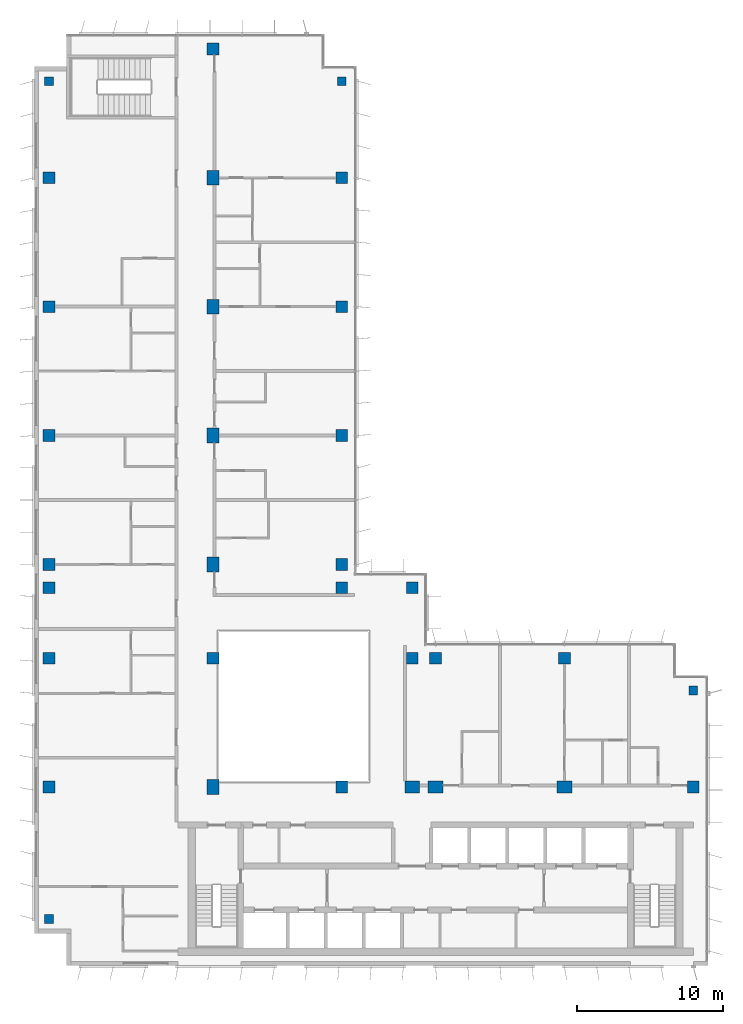
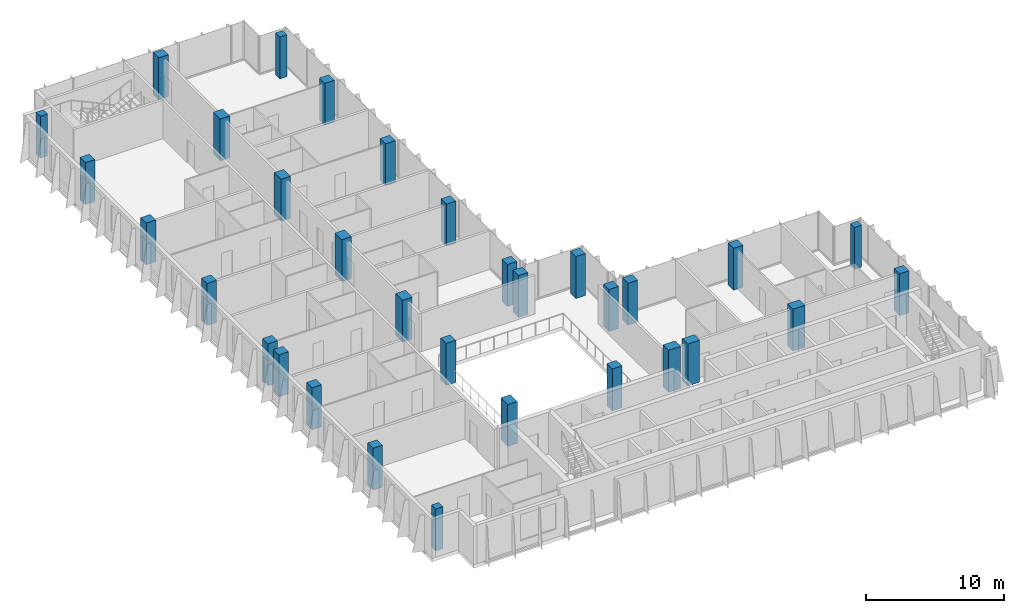
# One storey, part 1 of 16: 32 columns.
"""IFC4 building model written with IfcOpenShell, lengths in metres."""

import ifcopenshell
import ifcopenshell.guid

model = None  # the IFC model being written
_history = None  # IfcOwnerHistory: only IFC2X3 demands one
_inside = {}  # id of a spatial element -> (the spatial element, [elements in it])
_under = {}  # id of a project, library or spatial element -> (it, [spatial elements below it])
_declared = {}  # id of a project -> (the project, [libraries it declares])
_typed = {}  # id of a type object -> (the type object, [elements of that type])
_made_of = {}  # id of a material, layer set ... -> (it, [elements and type objects made of it])


def new_model(schema):
    """Start an empty IFC model of exactly this schema.

    Asked for "IFC4X3", IfcOpenShell would pick the latest addendum, in which some entities
    have other attributes; the version numbers below select the first issue.
    IFC2X3 requires an IfcOwnerHistory on every rooted entity: one is made here for all.
    """
    global model, _history
    if schema == "IFC4X3":
        model = ifcopenshell.file(schema_version=(4, 3, 0, 0))
    else:
        model = ifcopenshell.file(schema=schema)
    _inside.clear()
    _under.clear()
    _declared.clear()
    _typed.clear()
    _made_of.clear()
    _history = None
    if model.schema == "IFC2X3":
        org = make("IfcOrganization", Name="unknown")
        user = make(
            "IfcPersonAndOrganization",
            ThePerson=make("IfcPerson", FamilyName="unknown"),
            TheOrganization=org,
        )
        app = make(
            "IfcApplication",
            ApplicationDeveloper=org,
            Version="unknown",
            ApplicationFullName="unknown",
            ApplicationIdentifier="unknown",
        )
        _history = make(
            "IfcOwnerHistory",
            OwningUser=user,
            OwningApplication=app,
            ChangeAction="ADDED",
            CreationDate=0,
        )
    return model


def make(cls, **values):
    """One entity of the class cls with the attributes given. An attribute that is None is left unset."""
    return model.create_entity(
        cls, **{name: value for name, value in values.items() if value is not None}
    )


def rooted(cls, **values):
    """An entity with a GlobalId (a new one), such as an element, a storey or a relation."""
    return make(cls, GlobalId=ifcopenshell.guid.new(), OwnerHistory=_history, **values)


def si_unit(unit_type, name, prefix=None):
    """IfcSIUnit, for example si_unit("LENGTHUNIT", "METRE", prefix="MILLI")."""
    return make("IfcSIUnit", UnitType=unit_type, Prefix=prefix, Name=name)


def assignment(units):
    """IfcUnitAssignment: the units of a project."""
    return None if units is None else make("IfcUnitAssignment", Units=units)


def point(xyz):
    """IfcCartesianPoint."""
    return None if xyz is None else make("IfcCartesianPoint", Coordinates=xyz)


def direction(xyz):
    """IfcDirection."""
    return None if xyz is None else make("IfcDirection", DirectionRatios=xyz)


def frame(location, z_axis=None, x_axis=None):
    """IfcAxis2Placement3D, a coordinate frame: its origin and axes. An axis left out is left unset."""
    return make(
        "IfcAxis2Placement3D",
        Location=point(location),
        Axis=direction(z_axis),
        RefDirection=direction(x_axis),
    )


def frame_2d(location, x_axis=None):
    """IfcAxis2Placement2D, a coordinate frame in the plane: its origin and x axis."""
    return make(
        "IfcAxis2Placement2D", Location=point(location), RefDirection=direction(x_axis)
    )


def origin():
    """The frame at (0, 0, 0) with its axes left unset."""
    return frame((0.0, 0.0, 0.0))


def origin_2d():
    """The frame at (0, 0) in the plane with its x axis left unset."""
    return frame_2d((0.0, 0.0))


def place(relative_to, where):
    """IfcLocalPlacement: puts the frame where relative to a parent placement (None: the world)."""
    return make(
        "IfcLocalPlacement", PlacementRelTo=relative_to, RelativePlacement=where
    )


def context(
    kind, dimensions, precision=None, world=None, true_north=None, identifier=None
):
    """IfcGeometricRepresentationContext, for example the 3D "Model" context."""
    return make(
        "IfcGeometricRepresentationContext",
        ContextIdentifier=identifier,
        ContextType=kind,
        CoordinateSpaceDimension=dimensions,
        Precision=precision,
        WorldCoordinateSystem=world,
        TrueNorth=true_north,
    )


def subcontext(parent, identifier, kind, view, scale=None):
    """IfcGeometricRepresentationSubContext, for example "Body" below "Model"."""
    return make(
        "IfcGeometricRepresentationSubContext",
        ContextIdentifier=identifier,
        ContextType=kind,
        ParentContext=parent,
        TargetScale=scale,
        TargetView=view,
    )


def project(units=None, contexts=None):
    """IfcProject with its units and contexts."""
    return rooted(
        "IfcProject",
        Name="project",
        RepresentationContexts=contexts,
        UnitsInContext=assignment(units),
    )


def spatial(cls, under=None, at=None, **own):
    """A site, building, storey or space (cls), placed at a placement, below another one or the project."""
    s = rooted(cls, ObjectPlacement=at, **own)
    if under is not None:
        _under.setdefault(under.id(), (under, []))[1].append(s)
    return s


def profile(cls, at=None, kind="AREA", **sizes):
    """A parametric profile (cls). Its sizes go by their IFC names, for example OverallWidth=200.0."""
    return make(cls, ProfileType=kind, Position=at, **sizes)


def rectangle(**sizes):
    """IfcRectangleProfileDef."""
    return profile("IfcRectangleProfileDef", **sizes)


def extrude(swept, where, along, depth):
    """IfcExtrudedAreaSolid: the profile swept, set in the frame where, extruded along a direction by depth."""
    return make(
        "IfcExtrudedAreaSolid",
        SweptArea=swept,
        Position=where,
        ExtrudedDirection=direction(along),
        Depth=depth,
    )


def shape(context_of_items, identifier, shape_type, items):
    """IfcShapeRepresentation: the items that make up one representation, for example the "Body"."""
    return make(
        "IfcShapeRepresentation",
        ContextOfItems=context_of_items,
        RepresentationIdentifier=identifier,
        RepresentationType=shape_type,
        Items=items,
    )


def material(Name=None, Category=None):
    """IfcMaterial."""
    return make("IfcMaterial", Name=Name, Category=Category)


def material_profile(
    of_material, cross_section, Name=None, Category=None, Priority=None
):
    """IfcMaterialProfile: a cross section and its material."""
    return make(
        "IfcMaterialProfile",
        Name=Name,
        Material=of_material,
        Profile=cross_section,
        Priority=Priority,
        Category=Category,
    )


def profile_set(profiles, Name=None, composite=None):
    """IfcMaterialProfileSet."""
    return make(
        "IfcMaterialProfileSet",
        Name=Name,
        MaterialProfiles=profiles,
        CompositeProfile=composite,
    )


def made_of(thing, what):
    """Note that an element or type object is made of a material, layer set ...; save() writes the relation."""
    if what is not None:
        _made_of.setdefault(what.id(), (what, []))[1].append(thing)
    return thing


def type_object(cls, material=None, **own):
    """A type object (cls), such as IfcWallType, which elements share."""
    return made_of(rooted(cls, **own), material)


def element(
    cls,
    number,
    at=None,
    inside=None,
    cuts=None,
    type_object=None,
    material=None,
    context=None,
    identifier="Body",
    shape_type=None,
    held_by="IfcProductDefinitionShape",
    body=None,
    shapes=None,
    **own,
):
    """One element of the class cls, such as IfcWall. Its Tag is "e" and its number.

    at: its placement. inside: the storey or other place that contains it. cuts: it is an
    opening in that element (IfcRelVoidsElement). A single representation is given by context,
    identifier, shape_type and body (its items); several are given by shapes. held_by: the class
    of the entity that holds the representations. save() writes the other relations.
    """
    e = rooted(cls, Tag="e%d" % number, ObjectPlacement=at, **own)
    if body is not None:
        shapes = [shape(context, identifier, shape_type, body)]
    if shapes is not None:
        e.Representation = make(held_by, Representations=shapes)
    if inside is not None:
        _inside.setdefault(inside.id(), (inside, []))[1].append(e)
    if cuts is not None:
        rooted(
            "IfcRelVoidsElement", RelatingBuildingElement=cuts, RelatedOpeningElement=e
        )
    if type_object is not None:
        _typed.setdefault(type_object.id(), (type_object, []))[1].append(e)
    return made_of(e, material)


def aggregate(whole, parts):
    """IfcRelAggregates: a whole, such as a stair, and the parts it consists of."""
    return rooted("IfcRelAggregates", RelatingObject=whole, RelatedObjects=parts)


def save(model, path):
    """Write the relations noted so far, then the file.

    IfcRelAggregates (storeys below a building ...), IfcRelContainedInSpatialStructure (elements
    in a storey), IfcRelDefinesByType, IfcRelAssociatesMaterial and IfcRelDeclares: one each for
    every whole, place, type object, material and project.
    """
    for whole, parts in _under.values():
        aggregate(whole, parts)
    for where, things in _inside.values():
        rooted(
            "IfcRelContainedInSpatialStructure",
            RelatedElements=things,
            RelatingStructure=where,
        )
    for kind, things in _typed.values():
        rooted("IfcRelDefinesByType", RelatedObjects=things, RelatingType=kind)
    for what, things in _made_of.values():
        rooted("IfcRelAssociatesMaterial", RelatedObjects=things, RelatingMaterial=what)
    for by, libraries in _declared.values():
        rooted("IfcRelDeclares", RelatingContext=by, RelatedDefinitions=libraries)
    model.write(path)


model = new_model("IFC4")

# Units and contexts
model_context = context("Model", 3, precision=1e-05, world=origin(), true_north=direction((0.0, 1.0)))
body_context = subcontext(model_context, "Body", "Model", "MODEL_VIEW")
ifc_project = project(units=[si_unit("LENGTHUNIT", "METRE"), si_unit("AREAUNIT", "SQUARE_METRE"), si_unit("VOLUMEUNIT", "CUBIC_METRE"), si_unit("PLANEANGLEUNIT", "RADIAN"), si_unit("MASSUNIT", "GRAM", prefix="KILO")], contexts=[model_context])

# Site, building, storey
site_placement = place(None, origin())
site = spatial("IfcSite", under=ifc_project, at=site_placement, CompositionType="ELEMENT")
building_placement = place(site_placement, origin())
building = spatial("IfcBuilding", under=site, at=building_placement, Name="Kemantara Hotel Tower", CompositionType="ELEMENT")
storey_placement = place(building_placement, frame((0.0, 0.0, 287.0)))
storey = spatial("IfcBuildingStorey", under=building, at=storey_placement, Name="L72", CompositionType="ELEMENT", Elevation=287.0)

# Columns
ifc_material = material(Name="Concrete fc 50 MPa", Category="concrete")
ifc_material_profile_1 = material_profile(ifc_material, rectangle(XDim=1.0, YDim=0.800048828125, at=origin_2d()), Name="RC 1000X800")
ifc_profile_set_1 = profile_set([ifc_material_profile_1], Name="Concrete fc 50 MPa")
column_type_1 = type_object("IfcColumnType", Name="RC COLUMN 1000X800 FC50", PredefinedType="COLUMN", material=ifc_profile_set_1)
for number, where, z_axis, x_axis, name in (
    (1, (12.199951171875, 12.199951171875, 0.0), (0.0, 0.0, 1.0), (0.0, 1.0, 0.0), "COLUMN 2A/BA L72"),
    (2, (12.199951171875, 27.39990234375, 0.0), (0.0, 0.0, 1.0), (0.0, 1.0, 0.0), "COLUMN 2A/D L72"),
    (3, (12.199951171875, 36.199951171875, 0.0), (0.0, 0.0, 1.0), (0.0, 1.0, 0.0), "COLUMN 2A/E L72"),
    (4, (12.199951171875, 45.0, 0.0), (0.0, 0.0, 1.0), (0.0, 1.0, 0.0), "COLUMN 2A/F L72"),
    (5, (12.199951171875, 53.800048828125, 0.0), (0.0, 0.0, 1.0), (0.0, 1.0, 0.0), "COLUMN 2A/G L72"),
    (6, (25.800048828125, 12.199951171875, 0.0), (0.0, 0.0, 1.0), (1.0, 0.0, 0.0), "COLUMN 3A/BA L72"),
    (7, (27.39990234375, 12.199951171875, 0.0), (0.0, 0.0, 1.0), (1.0, 0.0, 0.0), "COLUMN 4/BA L72"),
    (8, (36.199951171875, 12.199951171875, 0.0), (0.0, 0.0, 1.0), (1.0, 0.0, 0.0), "COLUMN 5/BA L72"),
):
    element("IfcColumn", number, at=place(storey_placement, frame(where, z_axis=z_axis, x_axis=x_axis)), inside=storey, type_object=column_type_1, Name=name, PredefinedType="COLUMN", context=body_context, shape_type="SweptSolid", body=[
        extrude(rectangle(XDim=1.0, YDim=0.800048828125, at=origin_2d()), origin(), (0.0, 0.0, 1.0), 3.699951171875),
    ])
ifc_material_profile_2 = material_profile(ifc_material, rectangle(XDim=0.60009765625, YDim=0.60009765625, at=origin_2d()), Name="RC 600X600")
ifc_profile_set_2 = profile_set([ifc_material_profile_2], Name="Concrete fc 50 MPa")
column_type_2 = type_object("IfcColumnType", Name="RC COLUMN 600X600 FC50", PredefinedType="COLUMN", material=ifc_profile_set_2)
for number, where, z_axis, x_axis, name in (
    (9, (1.0, 3.199951171875, 0.0), (0.0, 0.0, 1.0), (1.0, 0.0, 0.0), "COLUMN notch corner L72"),
    (10, (1.0, 60.39990234375, 0.0), (0.0, 0.0, 1.0), (1.0, 0.0, 0.0), "COLUMN notch corner L72"),
    (11, (21.0, 60.39990234375, 0.0), (0.0, 0.0, 1.0), (1.0, 0.0, 0.0), "COLUMN notch corner L72"),
    (12, (45.0, 18.800048828125, 0.0), (0.0, 0.0, 1.0), (1.0, 0.0, 0.0), "COLUMN notch corner L72"),
):
    element("IfcColumn", number, at=place(storey_placement, frame(where, z_axis=z_axis, x_axis=x_axis)), inside=storey, type_object=column_type_2, Name=name, PredefinedType="COLUMN", context=body_context, shape_type="SweptSolid", body=[
        extrude(rectangle(XDim=0.60009765625, YDim=0.60009765625, at=origin_2d()), origin(), (0.0, 0.0, 1.0), 3.699951171875),
    ])
ifc_material_profile_3 = material_profile(ifc_material, rectangle(XDim=0.800048828125, YDim=0.800048828125, at=origin_2d()), Name="RC 800X800")
ifc_profile_set_3 = profile_set([ifc_material_profile_3], Name="Concrete fc 50 MPa")
column_type_3 = type_object("IfcColumnType", Name="RC COLUMN 800X800 FC50", PredefinedType="COLUMN", material=ifc_profile_set_3)
for number, where, z_axis, x_axis, name in (
    (13, (1.0, 12.199951171875, 0.0), (0.0, 0.0, 1.0), (1.0, 0.0, 0.0), "COLUMN 1/BA L72"),
    (14, (1.0, 21.0, 0.0), (0.0, 0.0, 1.0), (1.0, 0.0, 0.0), "COLUMN 1/C L72"),
    (15, (1.0, 25.800048828125, 0.0), (0.0, 0.0, 1.0), (1.0, 0.0, 0.0), "COLUMN 1/CA L72"),
    (16, (1.0, 27.39990234375, 0.0), (0.0, 0.0, 1.0), (1.0, 0.0, 0.0), "COLUMN 1/D L72"),
    (17, (1.0, 36.199951171875, 0.0), (0.0, 0.0, 1.0), (1.0, 0.0, 0.0), "COLUMN 1/E L72"),
    (18, (1.0, 45.0, 0.0), (0.0, 0.0, 1.0), (1.0, 0.0, 0.0), "COLUMN 1/F L72"),
    (19, (1.0, 53.800048828125, 0.0), (0.0, 0.0, 1.0), (1.0, 0.0, 0.0), "COLUMN 1/G L72"),
    (20, (12.199951171875, 21.0, 0.0), (0.0, 0.0, 1.0), (1.0, 0.0, 0.0), "COLUMN 2A/C L72"),
    (21, (12.199951171875, 62.60009765625, 0.0), (0.0, 0.0, 1.0), (1.0, 0.0, 0.0), "COLUMN 2A/H L72"),
    (22, (21.0, 12.199951171875, 0.0), (0.0, 0.0, 1.0), (1.0, 0.0, 0.0), "COLUMN 3/BA L72"),
    (23, (21.0, 25.800048828125, 0.0), (0.0, 0.0, 1.0), (1.0, 0.0, 0.0), "COLUMN 3/CA L72"),
    (24, (21.0, 27.39990234375, 0.0), (0.0, 0.0, 1.0), (1.0, 0.0, 0.0), "COLUMN 3/D L72"),
    (25, (21.0, 36.199951171875, 0.0), (0.0, 0.0, 1.0), (1.0, 0.0, 0.0), "COLUMN 3/E L72"),
    (26, (21.0, 45.0, 0.0), (0.0, 0.0, 1.0), (1.0, 0.0, 0.0), "COLUMN 3/F L72"),
    (27, (21.0, 53.800048828125, 0.0), (0.0, 0.0, 1.0), (1.0, 0.0, 0.0), "COLUMN 3/G L72"),
    (28, (25.800048828125, 21.0, 0.0), (0.0, 0.0, 1.0), (1.0, 0.0, 0.0), "COLUMN 3A/C L72"),
    (29, (25.800048828125, 25.800048828125, 0.0), (0.0, 0.0, 1.0), (1.0, 0.0, 0.0), "COLUMN 3A/CA L72"),
    (30, (27.39990234375, 21.0, 0.0), (0.0, 0.0, 1.0), (1.0, 0.0, 0.0), "COLUMN 4/C L72"),
    (31, (36.199951171875, 21.0, 0.0), (0.0, 0.0, 1.0), (1.0, 0.0, 0.0), "COLUMN 5/C L72"),
    (32, (45.0, 12.199951171875, 0.0), (0.0, 0.0, 1.0), (1.0, 0.0, 0.0), "COLUMN 6/BA L72"),
):
    element("IfcColumn", number, at=place(storey_placement, frame(where, z_axis=z_axis, x_axis=x_axis)), inside=storey, type_object=column_type_3, Name=name, PredefinedType="COLUMN", context=body_context, shape_type="SweptSolid", body=[
        extrude(rectangle(XDim=0.800048828125, YDim=0.800048828125, at=origin_2d()), origin(), (0.0, 0.0, 1.0), 3.699951171875),
    ])

save(model, "model.ifc")
